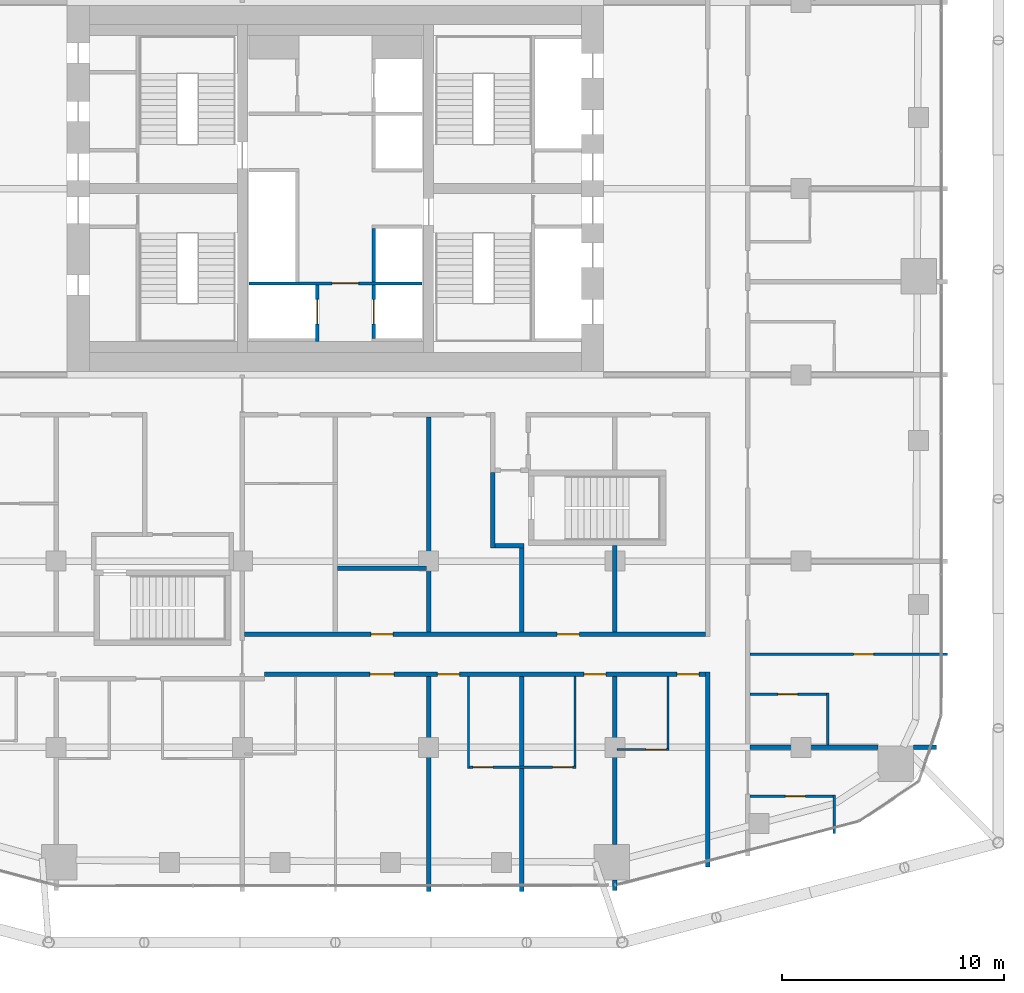
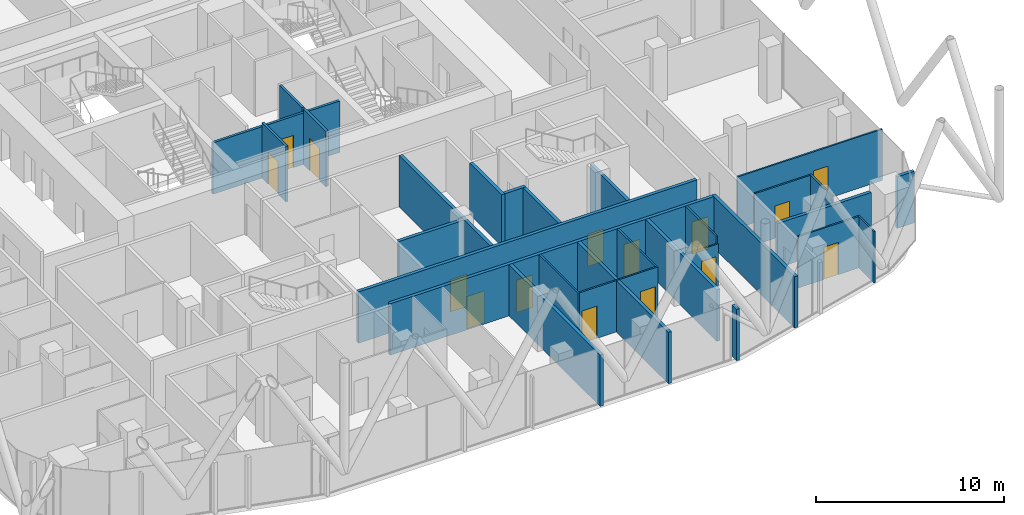
# One storey, part 26 of 33: 29 walls, 15 doors, 15 openings.
"""IFC4 building model written with IfcOpenShell, lengths in metres."""

from ifc_helpers import new_model, si_unit, direction, frame, frame_2d, origin, place, context, subcontext, project, spatial, rectangle, extrude, material, layer, layer_set, type_object, element, fill, save


model = new_model("IFC4")

# Units and contexts
model_context = context("Model", 3, precision=1e-05, world=origin(), true_north=direction((0.0, 1.0)))
body_context = subcontext(model_context, "Body", "Model", "MODEL_VIEW")
ifc_project = project(units=[si_unit("LENGTHUNIT", "METRE"), si_unit("AREAUNIT", "SQUARE_METRE"), si_unit("VOLUMEUNIT", "CUBIC_METRE"), si_unit("PLANEANGLEUNIT", "RADIAN"), si_unit("MASSUNIT", "GRAM", prefix="KILO")], contexts=[model_context])

# Site, building, storey
site_placement = place(None, origin())
site = spatial("IfcSite", under=ifc_project, at=site_placement, CompositionType="ELEMENT")
building_placement = place(site_placement, origin())
building = spatial("IfcBuilding", under=site, at=building_placement, Name="Marenta Gate Hotel Tower", CompositionType="ELEMENT")
storey_placement = place(building_placement, frame((0.0, 0.0, 151.699951171875)))
storey = spatial("IfcBuildingStorey", under=building, at=storey_placement, Name="L35", CompositionType="ELEMENT", Elevation=151.699951171875)

# Wall, opening, door
ifc_material_1 = material(Name="Concrete blockwork", Category="masonry")
ifc_layer_1 = layer(ifc_material_1, 0.14990234375)
ifc_layer_set_1 = layer_set([ifc_layer_1], Name="Concrete blockwork")
wall_type_1 = type_object("IfcWallType", Name="Core lobby partition 150 REI 180", PredefinedType="PARTITIONING", material=ifc_layer_set_1)
wall_1_placement = place(storey_placement, frame((-3.89990234375, 4.125, 0.0), z_axis=(0.0, 0.0, 1.0), x_axis=(1.0, 0.0, 0.0)))
wall_1 = element("IfcWall", 1, at=wall_1_placement, inside=storey, type_object=wall_type_1, Name="L35-CP-CW-S", PredefinedType="PARTITIONING", context=body_context, shape_type="SweptSolid", body=[
    extrude(rectangle(XDim=7.7998046875, YDim=0.14990234375, at=frame_2d((3.89990234375, 0.0))), origin(), (0.0, 0.0, 1.0), 3.340087890625),
])
opening_1_placement = place(wall_1_placement, frame((3.75, 0.0, 0.0)))
opening_1 = element("IfcOpeningElement", 2, at=opening_1_placement, cuts=wall_1, Name="Opening FD-FFS", PredefinedType="OPENING", context=body_context, shape_type="SweptSolid", body=[
    extrude(rectangle(XDim=1.199951171875, YDim=2.10009765625, at=frame_2d((0.60009765625, 1.050048828125))), frame((0.0, 0.074951171875, 0.0), z_axis=(0.0, -1.0, 0.0), x_axis=(1.0, 0.0, 0.0)), (0.0, 0.0, 1.0), 0.14990234375),
])
ifc_material_2 = material(Name="Steel", Category="steel")
door_type_1 = type_object("IfcDoorType", Name="Core lobby door 1200x2100 FD60", OperationType="SINGLE_SWING_LEFT", PredefinedType="DOOR", material=ifc_material_2)
door_1_placement = place(opening_1_placement, origin())
door_1 = element("IfcDoor", 3, at=door_1_placement, inside=storey, type_object=door_type_1, Name="FD-FFS", OperationType="SINGLE_SWING_LEFT", OverallHeight=2.10009765625, OverallWidth=1.199951171875, PredefinedType="DOOR", context=body_context, shape_type="SweptSolid", body=[
    extrude(rectangle(XDim=1.199951171875, YDim=2.10009765625, at=frame_2d((0.60009765625, 1.050048828125))), frame((0.0, 0.02490234375, 0.0), z_axis=(0.0, -1.0, 0.0), x_axis=(1.0, 0.0, 0.0)), (0.0, 0.0, 1.0), 0.050048828125),
])
fill(opening_1, door_1)

ifc_material_3 = material(Name="Concrete C40", Category="concrete")
ifc_layer_2 = layer(ifc_material_3, 0.14990234375)
ifc_layer_set_2 = layer_set([ifc_layer_2], Name="Concrete C40")
wall_type_2 = type_object("IfcWallType", Name="Core shaft wall 150 REI 180", PredefinedType="SHEAR", material=ifc_layer_set_2)
wall_2_placement = place(storey_placement, frame((-0.824951171875, 1.5, 0.0), z_axis=(0.0, 0.0, 1.0), x_axis=(0.0, 1.0, 0.0)))
wall_2 = element("IfcWall", 4, at=wall_2_placement, inside=storey, type_object=wall_type_2, Name="L35-SHF-CW-W-ff", PredefinedType="SHEAR", context=body_context, shape_type="SweptSolid", body=[
    extrude(rectangle(XDim=2.550048828125, YDim=0.14990234375, at=frame_2d((1.27490234375, 0.0))), origin(), (0.0, 0.0, 1.0), 3.60009765625),
])
opening_2_placement = place(wall_2_placement, frame((0.800048828125, 0.0, 0.0)))
opening_2 = element("IfcOpeningElement", 5, at=opening_2_placement, cuts=wall_2, Name="Opening LD-FF1", PredefinedType="OPENING", context=body_context, shape_type="SweptSolid", body=[
    extrude(rectangle(XDim=1.10009765625, YDim=2.10009765625, at=frame_2d((0.550048828125, 1.050048828125))), frame((0.0, 0.074951171875, 0.0), z_axis=(0.0, -1.0, 0.0), x_axis=(1.0, 0.0, 0.0)), (0.0, 0.0, 1.0), 0.14990234375),
])
ifc_material_4 = material(Name="Steel", Category="steel")
door_type_2 = type_object("IfcDoorType", Name="Core lift landing door 1100x2100 E 60", OperationType="SLIDING_TO_LEFT", PredefinedType="DOOR", material=ifc_material_4)
door_2_placement = place(opening_2_placement, origin())
door_2 = element("IfcDoor", 6, at=door_2_placement, inside=storey, type_object=door_type_2, Name="LD-FF1", OperationType="SLIDING_TO_LEFT", OverallHeight=2.10009765625, OverallWidth=1.10009765625, PredefinedType="DOOR", context=body_context, shape_type="SweptSolid", body=[
    extrude(rectangle(XDim=1.10009765625, YDim=2.10009765625, at=frame_2d((0.550048828125, 1.050048828125))), frame((0.0, 0.02490234375, 0.0), z_axis=(0.0, -1.0, 0.0), x_axis=(1.0, 0.0, 0.0)), (0.0, 0.0, 1.0), 0.050048828125),
])
fill(opening_2, door_2)

wall_3_placement = place(storey_placement, frame((1.72509765625, 1.64990234375, 0.0), z_axis=(0.0, 0.0, 1.0), x_axis=(0.0, 1.0, 0.0)))
wall_3 = element("IfcWall", 7, at=wall_3_placement, inside=storey, type_object=wall_type_2, Name="L35-SHF-CE-S-ls", PredefinedType="SHEAR", context=body_context, shape_type="SweptSolid", body=[
    extrude(rectangle(XDim=2.400146484375, YDim=0.14990234375, at=frame_2d((1.2001953125, 0.0))), origin(), (0.0, 0.0, 1.0), 3.60009765625),
])
opening_3_placement = place(wall_3_placement, frame((0.64990234375, 0.0, 0.0)))
opening_3 = element("IfcOpeningElement", 8, at=opening_3_placement, cuts=wall_3, Name="Opening LD-SV1", PredefinedType="OPENING", context=body_context, shape_type="SweptSolid", body=[
    extrude(rectangle(XDim=1.10009765625, YDim=2.10009765625, at=frame_2d((0.550048828125, 1.050048828125))), frame((0.0, 0.074951171875, 0.0), z_axis=(0.0, -1.0, 0.0), x_axis=(1.0, 0.0, 0.0)), (0.0, 0.0, 1.0), 0.14990234375),
])
door_3_placement = place(opening_3_placement, origin())
door_3 = element("IfcDoor", 9, at=door_3_placement, inside=storey, type_object=door_type_2, Name="LD-SV1", OperationType="SLIDING_TO_LEFT", OverallHeight=2.10009765625, OverallWidth=1.10009765625, PredefinedType="DOOR", context=body_context, shape_type="SweptSolid", body=[
    extrude(rectangle(XDim=1.10009765625, YDim=2.10009765625, at=frame_2d((0.550048828125, 1.050048828125))), frame((0.0, 0.02490234375, 0.0), z_axis=(0.0, -1.0, 0.0), x_axis=(1.0, 0.0, 0.0)), (0.0, 0.0, 1.0), 0.050048828125),
])
fill(opening_3, door_3)

# Wall
wall_4_placement = place(storey_placement, frame((1.72509765625, 4.199951171875, 0.0), z_axis=(0.0, 0.0, 1.0), x_axis=(0.0, 1.0, 0.0)))
element("IfcWall", 10, at=wall_4_placement, inside=storey, type_object=wall_type_2, Name="L35-SHF-CE-front-1", PredefinedType="SHEAR", context=body_context, shape_type="SweptSolid", body=[
    extrude(rectangle(XDim=2.400146484375, YDim=0.14990234375, at=frame_2d((1.2001953125, 0.0))), origin(), (0.0, 0.0, 1.0), 3.60009765625),
])

# Wall, openings, doors
ifc_material_5 = material(Name="Concrete blockwork", Category="masonry")
ifc_layer_3 = layer(ifc_material_5, 0.199951171875)
ifc_layer_set_3 = layer_set([ifc_layer_3], Name="Concrete blockwork")
wall_type_3 = type_object("IfcWallType", Name="Room corridor wall 200 EI 120", PredefinedType="PARTITIONING", material=ifc_layer_set_3)
wall_5_placement = place(storey_placement, frame((-4.10009765625, -11.699951171875, 0.0), z_axis=(0.0, 0.0, 1.0), x_axis=(1.0, 0.0, 0.0)))
wall_5 = element("IfcWall", 11, at=wall_5_placement, inside=storey, type_object=wall_type_3, Name="L35-PTN-W034", PredefinedType="PARTITIONING", context=body_context, shape_type="SweptSolid", body=[
    extrude(rectangle(XDim=20.800048828125, YDim=0.199951171875, at=frame_2d((10.39990234375, 0.0))), origin(), (0.0, 0.0, 1.0), 3.340087890625),
])
opening_4_placement = place(wall_5_placement, frame((14.10009765625, 0.0, 0.0)))
opening_4 = element("IfcOpeningElement", 12, at=opening_4_placement, cuts=wall_5, Name="Opening G13-63", PredefinedType="OPENING", context=body_context, shape_type="SweptSolid", body=[
    extrude(rectangle(XDim=1.0, YDim=2.10009765625, at=frame_2d((0.5, 1.050048828125))), frame((0.0, 0.10009765625, 0.0), z_axis=(0.0, -1.0, 0.0), x_axis=(1.0, 0.0, 0.0)), (0.0, 0.0, 1.0), 0.199951171875),
])
opening_5_placement = place(wall_5_placement, frame((5.699951171875, 0.0, 0.0)))
opening_5 = element("IfcOpeningElement", 13, at=opening_5_placement, cuts=wall_5, Name="Opening G13-67", PredefinedType="OPENING", context=body_context, shape_type="SweptSolid", body=[
    extrude(rectangle(XDim=1.0, YDim=2.10009765625, at=frame_2d((0.5, 1.050048828125))), frame((0.0, 0.10009765625, 0.0), z_axis=(0.0, -1.0, 0.0), x_axis=(1.0, 0.0, 0.0)), (0.0, 0.0, 1.0), 0.199951171875),
])
ifc_material_6 = material(Name="Timber door leaf", Category="wood")
door_type_3 = type_object("IfcDoorType", Name="Room amenity door 1000x2100 EI 60", OperationType="NOTDEFINED", PredefinedType="DOOR", material=ifc_material_6)
door_4_placement = place(opening_4_placement, origin())
door_4 = element("IfcDoor", 14, at=door_4_placement, inside=storey, type_object=door_type_3, Name="L35-PD-D063", OperationType="SINGLE_SWING_LEFT", OverallHeight=2.10009765625, OverallWidth=1.0, PredefinedType="DOOR", context=body_context, shape_type="SweptSolid", body=[
    extrude(rectangle(XDim=1.0, YDim=2.10009765625, at=frame_2d((0.5, 1.050048828125))), frame((0.0, 0.02490234375, 0.0), z_axis=(0.0, -1.0, 0.0), x_axis=(1.0, 0.0, 0.0)), (0.0, 0.0, 1.0), 0.050048828125),
])
fill(opening_4, door_4)
door_5_placement = place(opening_5_placement, origin())
door_5 = element("IfcDoor", 15, at=door_5_placement, inside=storey, type_object=door_type_3, Name="L35-PD-D067", OperationType="SINGLE_SWING_LEFT", OverallHeight=2.10009765625, OverallWidth=1.0, PredefinedType="DOOR", context=body_context, shape_type="SweptSolid", body=[
    extrude(rectangle(XDim=1.0, YDim=2.10009765625, at=frame_2d((0.5, 1.050048828125))), frame((0.0, 0.02490234375, 0.0), z_axis=(0.0, -1.0, 0.0), x_axis=(1.0, 0.0, 0.0)), (0.0, 0.0, 1.0), 0.050048828125),
])
fill(opening_5, door_5)

# Wall
ifc_material_7 = material(Name="Gypsum board on steel stud", Category="steel")
ifc_layer_4 = layer(ifc_material_7, 0.199951171875)
ifc_layer_set_4 = layer_set([ifc_layer_4], Name="Gypsum board on steel stud")
wall_type_4 = type_object("IfcWallType", Name="Room corridor wall 200 EI 60", PredefinedType="PARTITIONING", material=ifc_layer_set_4)
wall_6_placement = place(storey_placement, frame((16.800048828125, -22.18603515625, 0.0), z_axis=(0.0, 0.0, 1.0), x_axis=(0.0, 1.0, 0.0)))
element("IfcWall", 16, at=wall_6_placement, inside=storey, type_object=wall_type_4, Name="L35-PTN-W015", PredefinedType="PARTITIONING", context=body_context, shape_type="SweptSolid", body=[
    extrude(rectangle(XDim=8.7861328125, YDim=0.199951171875, at=frame_2d((4.39306640625, 0.0))), origin(), (0.0, 0.0, 1.0), 3.340087890625),
])

# Wall, openings, doors
wall_7_placement = place(storey_placement, frame((-3.199951171875, -13.5, 0.0), z_axis=(0.0, 0.0, 1.0), x_axis=(1.0, 0.0, 0.0)))
wall_7 = element("IfcWall", 17, at=wall_7_placement, inside=storey, type_object=wall_type_4, Name="L35-PTN-W026", PredefinedType="PARTITIONING", context=body_context, shape_type="SweptSolid", body=[
    extrude(rectangle(XDim=19.89990234375, YDim=0.199951171875, at=frame_2d((9.949951171875, 0.0))), origin(), (0.0, 0.0, 1.0), 3.340087890625),
])
opening_6_placement = place(wall_7_placement, frame((4.75, 0.0, 0.0)))
opening_6 = element("IfcOpeningElement", 18, at=opening_6_placement, cuts=wall_7, Name="Opening G13-34", PredefinedType="OPENING", context=body_context, shape_type="SweptSolid", body=[
    extrude(rectangle(XDim=1.10009765625, YDim=2.10009765625, at=frame_2d((0.550048828125, 1.050048828125))), frame((0.0, 0.10009765625, 0.0), z_axis=(0.0, -1.0, 0.0), x_axis=(1.0, 0.0, 0.0)), (0.0, 0.0, 1.0), 0.199951171875),
])
opening_7_placement = place(wall_7_placement, frame((7.800048828125, 0.0, 0.0)))
opening_7 = element("IfcOpeningElement", 19, at=opening_7_placement, cuts=wall_7, Name="Opening G13-37", PredefinedType="OPENING", context=body_context, shape_type="SweptSolid", body=[
    extrude(rectangle(XDim=1.0, YDim=2.10009765625, at=frame_2d((0.5, 1.050048828125))), frame((0.0, 0.10009765625, 0.0), z_axis=(0.0, -1.0, 0.0), x_axis=(1.0, 0.0, 0.0)), (0.0, 0.0, 1.0), 0.199951171875),
])
opening_8_placement = place(wall_7_placement, frame((14.39990234375, 0.0, 0.0)))
opening_8 = element("IfcOpeningElement", 20, at=opening_8_placement, cuts=wall_7, Name="Opening G13-39", PredefinedType="OPENING", context=body_context, shape_type="SweptSolid", body=[
    extrude(rectangle(XDim=1.0, YDim=2.10009765625, at=frame_2d((0.5, 1.050048828125))), frame((0.0, 0.10009765625, 0.0), z_axis=(0.0, -1.0, 0.0), x_axis=(1.0, 0.0, 0.0)), (0.0, 0.0, 1.0), 0.199951171875),
])
opening_9_placement = place(wall_7_placement, frame((18.60009765625, 0.0, 0.0)))
opening_9 = element("IfcOpeningElement", 21, at=opening_9_placement, cuts=wall_7, Name="Opening G13-41", PredefinedType="OPENING", context=body_context, shape_type="SweptSolid", body=[
    extrude(rectangle(XDim=1.0, YDim=2.10009765625, at=frame_2d((0.5, 1.050048828125))), frame((0.0, 0.10009765625, 0.0), z_axis=(0.0, -1.0, 0.0), x_axis=(1.0, 0.0, 0.0)), (0.0, 0.0, 1.0), 0.199951171875),
])
ifc_material_8 = material(Name="Timber door leaf", Category="wood")
door_type_4 = type_object("IfcDoorType", Name="Guest room door 1000x2100 EI 30", OperationType="NOTDEFINED", PredefinedType="DOOR", material=ifc_material_8)
door_6_placement = place(opening_7_placement, origin())
door_6 = element("IfcDoor", 22, at=door_6_placement, inside=storey, type_object=door_type_4, Name="L35-PD-D037", OperationType="SINGLE_SWING_LEFT", OverallHeight=2.10009765625, OverallWidth=1.0, PredefinedType="DOOR", context=body_context, shape_type="SweptSolid", body=[
    extrude(rectangle(XDim=1.0, YDim=2.10009765625, at=frame_2d((0.5, 1.050048828125))), frame((0.0, 0.02490234375, 0.0), z_axis=(0.0, -1.0, 0.0), x_axis=(1.0, 0.0, 0.0)), (0.0, 0.0, 1.0), 0.050048828125),
])
fill(opening_7, door_6)
door_7_placement = place(opening_8_placement, origin())
door_7 = element("IfcDoor", 23, at=door_7_placement, inside=storey, type_object=door_type_4, Name="L35-PD-D039", OperationType="SINGLE_SWING_LEFT", OverallHeight=2.10009765625, OverallWidth=1.0, PredefinedType="DOOR", context=body_context, shape_type="SweptSolid", body=[
    extrude(rectangle(XDim=1.0, YDim=2.10009765625, at=frame_2d((0.5, 1.050048828125))), frame((0.0, 0.02490234375, 0.0), z_axis=(0.0, -1.0, 0.0), x_axis=(1.0, 0.0, 0.0)), (0.0, 0.0, 1.0), 0.050048828125),
])
fill(opening_8, door_7)
door_8_placement = place(opening_9_placement, origin())
door_8 = element("IfcDoor", 24, at=door_8_placement, inside=storey, type_object=door_type_4, Name="L35-PD-D041", OperationType="SINGLE_SWING_LEFT", OverallHeight=2.10009765625, OverallWidth=1.0, PredefinedType="DOOR", context=body_context, shape_type="SweptSolid", body=[
    extrude(rectangle(XDim=1.0, YDim=2.10009765625, at=frame_2d((0.5, 1.050048828125))), frame((0.0, 0.02490234375, 0.0), z_axis=(0.0, -1.0, 0.0), x_axis=(1.0, 0.0, 0.0)), (0.0, 0.0, 1.0), 0.050048828125),
])
fill(opening_9, door_8)
ifc_material_9 = material(Name="Timber door leaf", Category="wood")
door_type_5 = type_object("IfcDoorType", Name="Guest room door 1100x2100 EI 30", OperationType="NOTDEFINED", PredefinedType="DOOR", material=ifc_material_9)
door_9_placement = place(opening_6_placement, origin())
door_9 = element("IfcDoor", 25, at=door_9_placement, inside=storey, type_object=door_type_5, Name="L35-PD-D034", OperationType="SINGLE_SWING_RIGHT", OverallHeight=2.10009765625, OverallWidth=1.10009765625, PredefinedType="DOOR", context=body_context, shape_type="SweptSolid", body=[
    extrude(rectangle(XDim=1.10009765625, YDim=2.10009765625, at=frame_2d((0.550048828125, 1.050048828125))), frame((0.0, 0.02490234375, 0.0), z_axis=(0.0, -1.0, 0.0), x_axis=(1.0, 0.0, 0.0)), (0.0, 0.0, 1.0), 0.050048828125),
])
fill(opening_6, door_9)

# Walls
ifc_material_10 = material(Name="Gypsum board on steel stud", Category="steel")
ifc_layer_5 = layer(ifc_material_10, 0.10009765625)
ifc_layer_set_5 = layer_set([ifc_layer_5], Name="Gypsum board on steel stud")
wall_type_5 = type_object("IfcWallType", Name="Room partition 100", PredefinedType="PARTITIONING", material=ifc_layer_set_5)
wall_8_placement = place(storey_placement, frame((22.5, -20.674072265625, 0.0), z_axis=(0.0, 0.0, 1.0), x_axis=(0.0, 1.0, 0.0)))
element("IfcWall", 26, at=wall_8_placement, inside=storey, type_object=wall_type_5, Name="L35-PTN-W001", PredefinedType="PARTITIONING", context=body_context, shape_type="SweptSolid", body=[
    extrude(rectangle(XDim=1.716064453125, YDim=0.10009765625, at=frame_2d((0.85791015625, 0.0))), origin(), (0.0, 0.0, 1.0), 3.340087890625),
])
wall_9_placement = place(storey_placement, frame((22.199951171875, -16.699951171875, 0.0), z_axis=(0.0, 0.0, 1.0), x_axis=(0.0, 1.0, 0.0)))
element("IfcWall", 27, at=wall_9_placement, inside=storey, type_object=wall_type_5, Name="L35-PTN-W004", PredefinedType="PARTITIONING", context=body_context, shape_type="SweptSolid", body=[
    extrude(rectangle(XDim=2.349853515625, YDim=0.10009765625, at=frame_2d((1.1748046875, 0.0))), origin(), (0.0, 0.0, 1.0), 3.340087890625),
])

# Wall, opening, door
wall_10_placement = place(storey_placement, frame((18.699951171875, -19.008056640625, 0.0), z_axis=(0.0, 0.0, 1.0), x_axis=(1.0, 0.0, 0.0)))
wall_10 = element("IfcWall", 28, at=wall_10_placement, inside=storey, type_object=wall_type_5, Name="L35-PTN-W008", PredefinedType="PARTITIONING", context=body_context, shape_type="SweptSolid", body=[
    extrude(rectangle(XDim=3.75, YDim=0.10009765625, at=frame_2d((1.875, 0.0))), origin(), (0.0, 0.0, 1.0), 3.340087890625),
])
opening_10_placement = place(wall_10_placement, frame((1.594970703125, 0.0, 0.0)))
opening_10 = element("IfcOpeningElement", 29, at=opening_10_placement, cuts=wall_10, Name="Opening G13-09", PredefinedType="OPENING", context=body_context, shape_type="SweptSolid", body=[
    extrude(rectangle(XDim=0.89990234375, YDim=2.10009765625, at=frame_2d((0.449951171875, 1.050048828125))), frame((0.0, 0.050048828125, 0.0), z_axis=(0.0, -1.0, 0.0), x_axis=(1.0, 0.0, 0.0)), (0.0, 0.0, 1.0), 0.10009765625),
])
ifc_material_11 = material(Name="Timber door leaf", Category="wood")
door_type_6 = type_object("IfcDoorType", Name="Guest bathroom door 900x2100", OperationType="NOTDEFINED", PredefinedType="DOOR", material=ifc_material_11)
door_10_placement = place(opening_10_placement, origin())
door_10 = element("IfcDoor", 30, at=door_10_placement, inside=storey, type_object=door_type_6, Name="L35-PD-D009", OperationType="SINGLE_SWING_RIGHT", OverallHeight=2.10009765625, OverallWidth=0.89990234375, PredefinedType="DOOR", context=body_context, shape_type="SweptSolid", body=[
    extrude(rectangle(XDim=0.89990234375, YDim=2.10009765625, at=frame_2d((0.449951171875, 1.050048828125))), frame((0.0, 0.02490234375, 0.0), z_axis=(0.0, -1.0, 0.0), x_axis=(1.0, 0.0, 0.0)), (0.0, 0.0, 1.0), 0.050048828125),
])
fill(opening_10, door_10)

# Wall, openings, doors
wall_11_placement = place(storey_placement, frame((6.050048828125, -17.699951171875, 0.0), z_axis=(0.0, 0.0, 1.0), x_axis=(1.0, 0.0, 0.0)))
wall_11 = element("IfcWall", 31, at=wall_11_placement, inside=storey, type_object=wall_type_5, Name="L35-PTN-W010", PredefinedType="PARTITIONING", context=body_context, shape_type="SweptSolid", body=[
    extrude(rectangle(XDim=4.800048828125, YDim=0.10009765625, at=frame_2d((2.39990234375, 0.0))), origin(), (0.0, 0.0, 1.0), 3.340087890625),
])
opening_11_placement = place(wall_11_placement, frame((0.14990234375, 0.0, 0.0)))
opening_11 = element("IfcOpeningElement", 32, at=opening_11_placement, cuts=wall_11, Name="Opening G13-38", PredefinedType="OPENING", context=body_context, shape_type="SweptSolid", body=[
    extrude(rectangle(XDim=0.89990234375, YDim=2.10009765625, at=frame_2d((0.449951171875, 1.050048828125))), frame((0.0, 0.050048828125, 0.0), z_axis=(0.0, -1.0, 0.0), x_axis=(1.0, 0.0, 0.0)), (0.0, 0.0, 1.0), 0.10009765625),
])
opening_12_placement = place(wall_11_placement, frame((3.75, 0.0, 0.0)))
opening_12 = element("IfcOpeningElement", 33, at=opening_12_placement, cuts=wall_11, Name="Opening G13-40", PredefinedType="OPENING", context=body_context, shape_type="SweptSolid", body=[
    extrude(rectangle(XDim=0.89990234375, YDim=2.10009765625, at=frame_2d((0.449951171875, 1.050048828125))), frame((0.0, 0.050048828125, 0.0), z_axis=(0.0, -1.0, 0.0), x_axis=(1.0, 0.0, 0.0)), (0.0, 0.0, 1.0), 0.10009765625),
])
door_11_placement = place(opening_11_placement, origin())
door_11 = element("IfcDoor", 34, at=door_11_placement, inside=storey, type_object=door_type_6, Name="L35-PD-D038", OperationType="SINGLE_SWING_LEFT", OverallHeight=2.10009765625, OverallWidth=0.89990234375, PredefinedType="DOOR", context=body_context, shape_type="SweptSolid", body=[
    extrude(rectangle(XDim=0.89990234375, YDim=2.10009765625, at=frame_2d((0.449951171875, 1.050048828125))), frame((0.0, 0.02490234375, 0.0), z_axis=(0.0, -1.0, 0.0), x_axis=(1.0, 0.0, 0.0)), (0.0, 0.0, 1.0), 0.050048828125),
])
fill(opening_11, door_11)
door_12_placement = place(opening_12_placement, origin())
door_12 = element("IfcDoor", 35, at=door_12_placement, inside=storey, type_object=door_type_6, Name="L35-PD-D040", OperationType="SINGLE_SWING_RIGHT", OverallHeight=2.10009765625, OverallWidth=0.89990234375, PredefinedType="DOOR", context=body_context, shape_type="SweptSolid", body=[
    extrude(rectangle(XDim=0.89990234375, YDim=2.10009765625, at=frame_2d((0.449951171875, 1.050048828125))), frame((0.0, 0.02490234375, 0.0), z_axis=(0.0, -1.0, 0.0), x_axis=(1.0, 0.0, 0.0)), (0.0, 0.0, 1.0), 0.050048828125),
])
fill(opening_12, door_12)

# Wall, opening, door
wall_12_placement = place(storey_placement, frame((12.699951171875, -16.89990234375, 0.0), z_axis=(0.0, 0.0, 1.0), x_axis=(1.0, 0.0, 0.0)))
wall_12 = element("IfcWall", 36, at=wall_12_placement, inside=storey, type_object=wall_type_5, Name="L35-PTN-W014", PredefinedType="PARTITIONING", context=body_context, shape_type="SweptSolid", body=[
    extrude(rectangle(XDim=2.35009765625, YDim=0.10009765625, at=frame_2d((1.175048828125, 0.0))), origin(), (0.0, 0.0, 1.0), 2.89013671875),
])
opening_13_placement = place(wall_12_placement, frame((1.300048828125, 0.0, 0.0)))
opening_13 = element("IfcOpeningElement", 37, at=opening_13_placement, cuts=wall_12, Name="Opening G13-42", PredefinedType="OPENING", context=body_context, shape_type="SweptSolid", body=[
    extrude(rectangle(XDim=0.89990234375, YDim=2.10009765625, at=frame_2d((0.449951171875, 1.050048828125))), frame((0.0, 0.050048828125, 0.0), z_axis=(0.0, -1.0, 0.0), x_axis=(1.0, 0.0, 0.0)), (0.0, 0.0, 1.0), 0.10009765625),
])
door_13_placement = place(opening_13_placement, origin())
door_13 = element("IfcDoor", 38, at=door_13_placement, inside=storey, type_object=door_type_6, Name="L35-PD-D042", OperationType="SINGLE_SWING_RIGHT", OverallHeight=2.10009765625, OverallWidth=0.89990234375, PredefinedType="DOOR", context=body_context, shape_type="SweptSolid", body=[
    extrude(rectangle(XDim=0.89990234375, YDim=2.10009765625, at=frame_2d((0.449951171875, 1.050048828125))), frame((0.0, 0.02490234375, 0.0), z_axis=(0.0, -1.0, 0.0), x_axis=(1.0, 0.0, 0.0)), (0.0, 0.0, 1.0), 0.050048828125),
])
fill(opening_13, door_13)

# Wall
wall_13_placement = place(storey_placement, frame((15.0, -16.85009765625, 0.0), z_axis=(0.0, 0.0, 1.0), x_axis=(0.0, 1.0, 0.0)))
element("IfcWall", 39, at=wall_13_placement, inside=storey, type_object=wall_type_5, Name="L35-PTN-W021", PredefinedType="PARTITIONING", context=body_context, shape_type="SweptSolid", body=[
    extrude(rectangle(XDim=3.25, YDim=0.10009765625, at=frame_2d((1.625, 0.0))), origin(), (0.0, 0.0, 1.0), 3.340087890625),
])

# Wall, opening, door
wall_14_placement = place(storey_placement, frame((18.699951171875, -14.39990234375, 0.0), z_axis=(0.0, 0.0, 1.0), x_axis=(1.0, 0.0, 0.0)))
wall_14 = element("IfcWall", 40, at=wall_14_placement, inside=storey, type_object=wall_type_5, Name="L35-PTN-W023", PredefinedType="PARTITIONING", context=body_context, shape_type="SweptSolid", body=[
    extrude(rectangle(XDim=3.449951171875, YDim=0.10009765625, at=frame_2d((1.72509765625, 0.0))), origin(), (0.0, 0.0, 1.0), 3.340087890625),
])
opening_14_placement = place(wall_14_placement, frame((1.25, 0.0, 0.0)))
opening_14 = element("IfcOpeningElement", 41, at=opening_14_placement, cuts=wall_14, Name="Opening G13-12", PredefinedType="OPENING", context=body_context, shape_type="SweptSolid", body=[
    extrude(rectangle(XDim=0.89990234375, YDim=2.10009765625, at=frame_2d((0.449951171875, 1.050048828125))), frame((0.0, 0.050048828125, 0.0), z_axis=(0.0, -1.0, 0.0), x_axis=(1.0, 0.0, 0.0)), (0.0, 0.0, 1.0), 0.10009765625),
])
door_14_placement = place(opening_14_placement, origin())
door_14 = element("IfcDoor", 42, at=door_14_placement, inside=storey, type_object=door_type_6, Name="L35-PD-D012", OperationType="SINGLE_SWING_RIGHT", OverallHeight=2.10009765625, OverallWidth=0.89990234375, PredefinedType="DOOR", context=body_context, shape_type="SweptSolid", body=[
    extrude(rectangle(XDim=0.89990234375, YDim=2.10009765625, at=frame_2d((0.449951171875, 1.050048828125))), frame((0.0, 0.02490234375, 0.0), z_axis=(0.0, -1.0, 0.0), x_axis=(1.0, 0.0, 0.0)), (0.0, 0.0, 1.0), 0.050048828125),
])
fill(opening_14, door_14)

wall_15_placement = place(storey_placement, frame((18.699951171875, -12.60009765625, 0.0), z_axis=(0.0, 0.0, 1.0), x_axis=(1.0, 0.0, 0.0)))
wall_15 = element("IfcWall", 43, at=wall_15_placement, inside=storey, type_object=wall_type_5, Name="L35-PTN-W032", PredefinedType="PARTITIONING", context=body_context, shape_type="SweptSolid", body=[
    extrude(rectangle(XDim=8.900146484375, YDim=0.10009765625, at=frame_2d((4.4501953125, 0.0))), origin(), (0.0, 0.0, 1.0), 3.340087890625),
])
opening_15_placement = place(wall_15_placement, frame((4.669921875, 0.0, 0.0)))
opening_15 = element("IfcOpeningElement", 44, at=opening_15_placement, cuts=wall_15, Name="Opening G13-11", PredefinedType="OPENING", context=body_context, shape_type="SweptSolid", body=[
    extrude(rectangle(XDim=0.89990234375, YDim=2.10009765625, at=frame_2d((0.449951171875, 1.050048828125))), frame((0.0, 0.050048828125, 0.0), z_axis=(0.0, -1.0, 0.0), x_axis=(1.0, 0.0, 0.0)), (0.0, 0.0, 1.0), 0.10009765625),
])
ifc_material_12 = material(Name="Timber door leaf", Category="wood")
door_type_7 = type_object("IfcDoorType", Name="Room inner door 900x2100", OperationType="NOTDEFINED", PredefinedType="DOOR", material=ifc_material_12)
door_15_placement = place(opening_15_placement, origin())
door_15 = element("IfcDoor", 45, at=door_15_placement, inside=storey, type_object=door_type_7, Name="L35-PD-D011", OperationType="SINGLE_SWING_RIGHT", OverallHeight=2.10009765625, OverallWidth=0.89990234375, PredefinedType="DOOR", context=body_context, shape_type="SweptSolid", body=[
    extrude(rectangle(XDim=0.89990234375, YDim=2.10009765625, at=frame_2d((0.449951171875, 1.050048828125))), frame((0.0, 0.02490234375, 0.0), z_axis=(0.0, -1.0, 0.0), x_axis=(1.0, 0.0, 0.0)), (0.0, 0.0, 1.0), 0.050048828125),
])
fill(opening_15, door_15)

# Walls
wall_16_placement = place(storey_placement, frame((10.800048828125, -17.64990234375, 0.0), z_axis=(0.0, 0.0, 1.0), x_axis=(0.0, 1.0, 0.0)))
element("IfcWall", 46, at=wall_16_placement, inside=storey, type_object=wall_type_5, Name="L35-PTN-W035", PredefinedType="PARTITIONING", context=body_context, shape_type="SweptSolid", body=[
    extrude(rectangle(XDim=4.0498046875, YDim=0.10009765625, at=frame_2d((2.02490234375, 0.0))), origin(), (0.0, 0.0, 1.0), 3.340087890625),
])
wall_17_placement = place(storey_placement, frame((6.0, -17.75, 0.0), z_axis=(0.0, 0.0, 1.0), x_axis=(0.0, 1.0, 0.0)))
element("IfcWall", 47, at=wall_17_placement, inside=storey, type_object=wall_type_5, Name="L35-PTN-W052", PredefinedType="PARTITIONING", context=body_context, shape_type="SweptSolid", body=[
    extrude(rectangle(XDim=4.14990234375, YDim=0.10009765625, at=frame_2d((2.074951171875, 0.0))), origin(), (0.0, 0.0, 1.0), 3.340087890625),
])
ifc_material_13 = material(Name="Gypsum board on steel stud", Category="steel")
ifc_layer_6 = layer(ifc_material_13, 0.199951171875)
ifc_layer_set_6 = layer_set([ifc_layer_6], Name="Gypsum board on steel stud")
wall_type_6 = type_object("IfcWallType", Name="Room party wall 200 EI 60", PredefinedType="PARTITIONING", material=ifc_layer_set_6)
wall_18_placement = place(storey_placement, frame((18.699951171875, -16.800048828125, 0.0), z_axis=(0.0, 0.0, 1.0), x_axis=(1.0, 0.0, 0.0)))
element("IfcWall", 48, at=wall_18_placement, inside=storey, type_object=wall_type_6, Name="L35-PTN-W019", PredefinedType="PARTITIONING", context=body_context, shape_type="SweptSolid", body=[
    extrude(rectangle(XDim=5.762939453125, YDim=0.199951171875, at=frame_2d((2.88134765625, 0.0))), origin(), (0.0, 0.0, 1.0), 2.89013671875),
])
wall_19_placement = place(storey_placement, frame((26.06298828125, -16.800048828125, 0.0), z_axis=(0.0, 0.0, 1.0), x_axis=(1.0, 0.0, 0.0)))
element("IfcWall", 49, at=wall_19_placement, inside=storey, type_object=wall_type_6, Name="L35-PTN-W121", PredefinedType="PARTITIONING", context=body_context, shape_type="SweptSolid", body=[
    extrude(rectangle(XDim=1.049072265625, YDim=0.199951171875, at=frame_2d((0.5244140625, 0.0))), origin(), (0.0, 0.0, 1.0), 3.340087890625),
])
wall_20_placement = place(storey_placement, frame((12.60009765625, -23.26611328125, 0.0), z_axis=(0.0, 0.0, 1.0), x_axis=(0.0, 1.0, 0.0)))
element("IfcWall", 50, at=wall_20_placement, inside=storey, type_object=wall_type_6, Name="L35-PTN-W027", PredefinedType="PARTITIONING", context=body_context, shape_type="SweptSolid", body=[
    extrude(rectangle(XDim=0.4912109375, YDim=0.199951171875, at=frame_2d((0.24560546875, 0.0))), origin(), (0.0, 0.0, 1.0), 3.340087890625),
])
wall_21_placement = place(storey_placement, frame((12.60009765625, -21.175048828125, 0.0), z_axis=(0.0, 0.0, 1.0), x_axis=(0.0, 1.0, 0.0)))
element("IfcWall", 51, at=wall_21_placement, inside=storey, type_object=wall_type_6, Name="L35-PTN-W122", PredefinedType="PARTITIONING", context=body_context, shape_type="SweptSolid", body=[
    extrude(rectangle(XDim=7.574951171875, YDim=0.199951171875, at=frame_2d((3.78759765625, 0.0))), origin(), (0.0, 0.0, 1.0), 3.340087890625),
])
wall_22_placement = place(storey_placement, frame((12.60009765625, -11.60009765625, 0.0), z_axis=(0.0, 0.0, 1.0), x_axis=(0.0, 1.0, 0.0)))
element("IfcWall", 52, at=wall_22_placement, inside=storey, type_object=wall_type_6, Name="L35-PTN-W028", PredefinedType="PARTITIONING", context=body_context, shape_type="SweptSolid", body=[
    extrude(rectangle(XDim=3.900146484375, YDim=0.199951171875, at=frame_2d((1.9501953125, 0.0))), origin(), (0.0, 0.0, 1.0), 3.340087890625),
])
wall_23_placement = place(storey_placement, frame((0.10009765625, -8.72998046875, 0.0), z_axis=(0.0, 0.0, 1.0), x_axis=(1.0, 0.0, 0.0)))
element("IfcWall", 53, at=wall_23_placement, inside=storey, type_object=wall_type_6, Name="L35-PTN-W039", PredefinedType="PARTITIONING", context=body_context, shape_type="SweptSolid", body=[
    extrude(rectangle(XDim=4.0, YDim=0.199951171875, at=frame_2d((2.0, 0.0))), origin(), (0.0, 0.0, 1.0), 3.340087890625),
])
wall_24_placement = place(storey_placement, frame((8.39990234375, -23.300048828125, 0.0), z_axis=(0.0, 0.0, 1.0), x_axis=(0.0, 1.0, 0.0)))
element("IfcWall", 54, at=wall_24_placement, inside=storey, type_object=wall_type_6, Name="L35-PTN-W041", PredefinedType="PARTITIONING", context=body_context, shape_type="SweptSolid", body=[
    extrude(rectangle(XDim=9.699951171875, YDim=0.199951171875, at=frame_2d((4.85009765625, 0.0))), origin(), (0.0, 0.0, 1.0), 3.340087890625),
])
wall_25_placement = place(storey_placement, frame((8.39990234375, -11.60009765625, 0.0), z_axis=(0.0, 0.0, 1.0), x_axis=(0.0, 1.0, 0.0)))
element("IfcWall", 55, at=wall_25_placement, inside=storey, type_object=wall_type_6, Name="L35-PTN-W042", PredefinedType="PARTITIONING", context=body_context, shape_type="SweptSolid", body=[
    extrude(rectangle(XDim=3.800048828125, YDim=0.199951171875, at=frame_2d((1.89990234375, 0.0))), origin(), (0.0, 0.0, 1.0), 3.340087890625),
])
wall_26_placement = place(storey_placement, frame((4.199951171875, -23.300048828125, 0.0), z_axis=(0.0, 0.0, 1.0), x_axis=(0.0, 1.0, 0.0)))
element("IfcWall", 56, at=wall_26_placement, inside=storey, type_object=wall_type_6, Name="L35-PTN-W056", PredefinedType="PARTITIONING", context=body_context, shape_type="SweptSolid", body=[
    extrude(rectangle(XDim=9.699951171875, YDim=0.199951171875, at=frame_2d((4.85009765625, 0.0))), origin(), (0.0, 0.0, 1.0), 3.340087890625),
])
wall_27_placement = place(storey_placement, frame((4.199951171875, -11.60009765625, 0.0), z_axis=(0.0, 0.0, 1.0), x_axis=(0.0, 1.0, 0.0)))
element("IfcWall", 57, at=wall_27_placement, inside=storey, type_object=wall_type_6, Name="L35-PTN-W057", PredefinedType="PARTITIONING", context=body_context, shape_type="SweptSolid", body=[
    extrude(rectangle(XDim=9.7001953125, YDim=0.199951171875, at=frame_2d((4.85009765625, 0.0))), origin(), (0.0, 0.0, 1.0), 3.340087890625),
])
ifc_material_14 = material(Name="Concrete blockwork", Category="masonry")
ifc_layer_7 = layer(ifc_material_14, 0.199951171875)
ifc_layer_set_7 = layer_set([ifc_layer_7], Name="Concrete blockwork")
wall_type_7 = type_object("IfcWallType", Name="Room party wall 200 REI 180", PredefinedType="PARTITIONING", material=ifc_layer_set_7)
wall_28_placement = place(storey_placement, frame((7.199951171875, -7.699951171875, 0.0), z_axis=(0.0, 0.0, 1.0), x_axis=(1.0, 0.0, 0.0)))
element("IfcWall", 58, at=wall_28_placement, inside=storey, type_object=wall_type_7, Name="L35-PTN-W046", PredefinedType="PARTITIONING", context=body_context, shape_type="SweptSolid", body=[
    extrude(rectangle(XDim=1.300048828125, YDim=0.199951171875, at=frame_2d((0.64990234375, 0.0))), origin(), (0.0, 0.0, 1.0), 3.340087890625),
])
wall_29_placement = place(storey_placement, frame((7.10009765625, -7.800048828125, 0.0), z_axis=(0.0, 0.0, 1.0), x_axis=(0.0, 1.0, 0.0)))
element("IfcWall", 59, at=wall_29_placement, inside=storey, type_object=wall_type_7, Name="L35-PTN-W049", PredefinedType="PARTITIONING", context=body_context, shape_type="SweptSolid", body=[
    extrude(rectangle(XDim=3.400146484375, YDim=0.199951171875, at=frame_2d((1.7001953125, 0.0))), origin(), (0.0, 0.0, 1.0), 3.340087890625),
])

save(model, "model.ifc")
